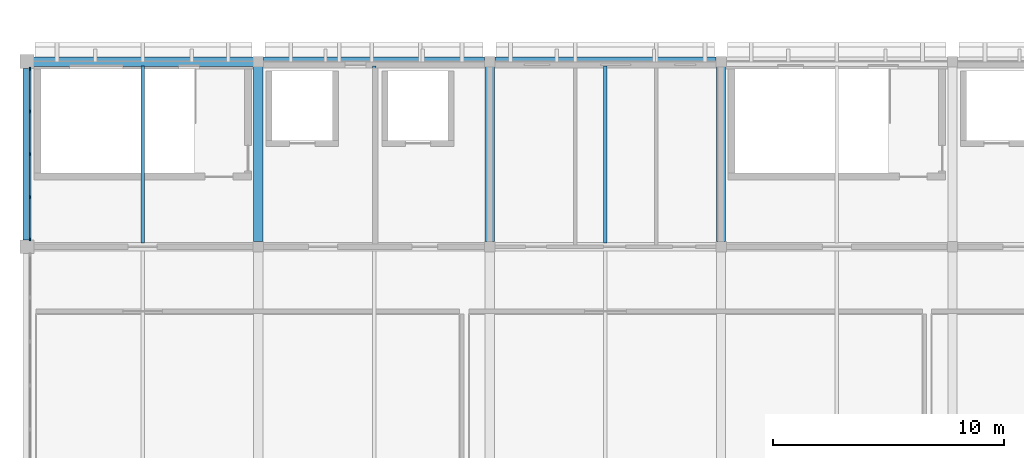
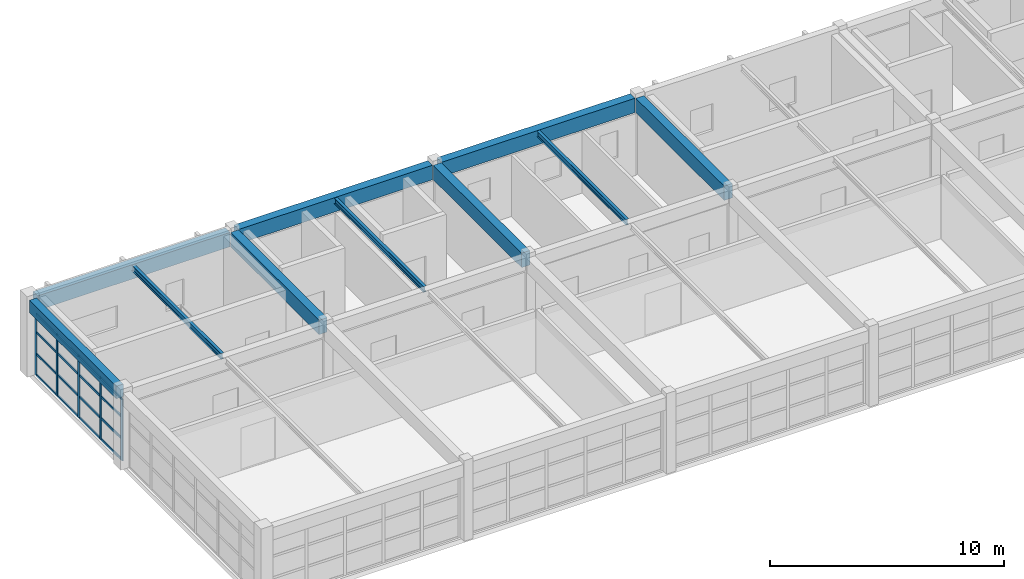
# One storey, part 6 of 16: 21 members, 10 beams, 1 element without a shape of its own.
"""IFC4 building model written with IfcOpenShell, lengths in metres."""

from ifc_helpers import new_model, si_unit, direction, frame, origin, origin_2d, place, context, subcontext, project, spatial, rectangle, i_section, extrude, material, layer, layer_set, material_profile, profile_set, type_object, element, aggregate, save


model = new_model("IFC4")

# Units and contexts
model_context = context("Model", 3, precision=1e-05, world=origin(), true_north=direction((0.0, 1.0)))
body_context = subcontext(model_context, "Body", "Model", "MODEL_VIEW")
ifc_project = project(units=[si_unit("LENGTHUNIT", "METRE"), si_unit("AREAUNIT", "SQUARE_METRE"), si_unit("VOLUMEUNIT", "CUBIC_METRE"), si_unit("PLANEANGLEUNIT", "RADIAN"), si_unit("MASSUNIT", "GRAM", prefix="KILO")], contexts=[model_context])

# Site, building, storey
site_placement = place(None, origin())
site = spatial("IfcSite", under=ifc_project, at=site_placement, CompositionType="ELEMENT")
building_placement = place(site_placement, origin())
building = spatial("IfcBuilding", under=site, at=building_placement, Name="Kivolera Central Railway Station", CompositionType="ELEMENT")
storey_placement = place(building_placement, frame((0.0, 0.0, 27.0)))
storey = spatial("IfcBuildingStorey", under=building, at=storey_placement, Name="L06", CompositionType="ELEMENT", Elevation=27.0)

# Beams
ifc_material_1 = material(Name="Steel S355", Category="steel")
ifc_material_profile_1 = material_profile(ifc_material_1, i_section(OverallWidth=0.14990234375, OverallDepth=0.300048828125, WebThickness=0.007080078125, FlangeThickness=0.0107421875, FilletRadius=0.014892578125, at=origin_2d()), Name="IPE 300")
ifc_profile_set_1 = profile_set([ifc_material_profile_1], Name="Steel S355")
beam_type_1 = type_object("IfcBeamType", Name="BM-JST-IPE300", PredefinedType="JOIST", material=ifc_profile_set_1)
for number, where, z_axis, x_axis, name in (
    (1, (123.0, 126.1669921875, 3.818115234375), (0.0, 1.0, 0.0), (-1.0, 0.0, 0.0), "L06 Floor Joist 12-13/L-M"),
    (2, (133.0, 126.1669921875, 3.818115234375), (0.0, 1.0, 0.0), (-1.0, 0.0, 0.0), "L06 Floor Joist 13-14/L-M"),
    (3, (143.0, 126.1669921875, 3.818115234375), (0.0, 1.0, 0.0), (-1.0, 0.0, 0.0), "L06 Floor Joist 14-15/L-M"),
):
    element("IfcBeam", number, at=place(storey_placement, frame(where, z_axis=z_axis, x_axis=x_axis)), inside=storey, type_object=beam_type_1, Name=name, PredefinedType="JOIST", context=body_context, shape_type="SweptSolid", body=[
        extrude(i_section(OverallWidth=0.14990234375, OverallDepth=0.300048828125, WebThickness=0.007080078125, FlangeThickness=0.0107421875, FilletRadius=0.014892578125, at=origin_2d()), origin(), (0.0, 0.0, 1.0), 7.64111328125),
    ])
ifc_material_2 = material(Name="Concrete C40/50", Category="concrete")
ifc_material_profile_2 = material_profile(ifc_material_2, rectangle(XDim=0.39990234375, YDim=0.75, at=origin_2d()), Name="RC 400x750")
ifc_profile_set_2 = profile_set([ifc_material_profile_2], Name="Concrete C40/50")
beam_type_2 = type_object("IfcBeamType", Name="BM-RC-400x750", PredefinedType="BEAM", material=ifc_profile_set_2)
for number, where, z_axis, x_axis, name in (
    (4, (128.0, 126.217041015625, 3.60498046875), (0.0, 1.0, 0.0), (-1.0, 0.0, 0.0), "L06 Wing Y-Beam 13:L-M"),
    (5, (138.0, 126.217041015625, 3.60498046875), (0.0, 1.0, 0.0), (-1.0, 0.0, 0.0), "L06 Wing Y-Beam 14:L-M"),
    (6, (148.0, 126.217041015625, 3.60498046875), (0.0, 1.0, 0.0), (-1.0, 0.0, 0.0), "L06 Wing Y-Beam 15:L-M"),
):
    element("IfcBeam", number, at=place(storey_placement, frame(where, z_axis=z_axis, x_axis=x_axis)), inside=storey, type_object=beam_type_2, Name=name, PredefinedType="BEAM", context=body_context, shape_type="SweptSolid", body=[
        extrude(rectangle(XDim=0.39990234375, YDim=0.75, at=origin_2d()), origin(), (0.0, 0.0, 1.0), 7.56591796875),
    ])
ifc_material_profile_3 = material_profile(ifc_material_2, rectangle(XDim=0.35009765625, YDim=0.64990234375, at=origin_2d()), Name="RC 350x650")
ifc_profile_set_3 = profile_set([ifc_material_profile_3], Name="Concrete C40/50")
beam_type_3 = type_object("IfcBeamType", Name="BM-SPN-RC650", PredefinedType="SPANDREL", material=ifc_profile_set_3)
beam_1_placement = place(storey_placement, frame((118.0, 126.2919921875, 3.655029296875), z_axis=(0.0, 1.0, 0.0), x_axis=(-1.0, 0.0, 0.0)))
element("IfcBeam", 7, at=beam_1_placement, inside=storey, type_object=beam_type_3, Name="L06 Wing Y-Beam 12:L-M", PredefinedType="SPANDREL", context=body_context, shape_type="SweptSolid", body=[
    extrude(rectangle(XDim=0.35009765625, YDim=0.64990234375, at=origin_2d()), origin(), (0.0, 0.0, 1.0), 7.416015625),
])
ifc_material_profile_4 = material_profile(ifc_material_2, rectangle(XDim=0.39990234375, YDim=0.75, at=origin_2d()), Name="RC 400x750")
ifc_profile_set_4 = profile_set([ifc_material_profile_4], Name="Concrete C40/50")
beam_type_4 = type_object("IfcBeamType", Name="BM-SPN-RC750", PredefinedType="SPANDREL", material=ifc_profile_set_4)
beam_2_placement = place(storey_placement, frame((118.2919921875, 134.0, 3.60498046875), z_axis=(1.0, 0.0, 0.0), x_axis=(0.0, 1.0, 0.0)))
element("IfcBeam", 8, at=beam_2_placement, inside=storey, type_object=beam_type_4, Name="L06 Wing X-Beam M:12-13", PredefinedType="SPANDREL", context=body_context, shape_type="SweptSolid", body=[
    extrude(rectangle(XDim=0.39990234375, YDim=0.75, at=origin_2d()), origin(), (0.0, 0.0, 1.0), 9.490966796875),
])
for number, where, z_axis, x_axis, name in (
    (9, (128.217041015625, 134.0, 3.60498046875), (1.0, 0.0, 0.0), (0.0, 1.0, 0.0), "L06 Wing X-Beam M:13-14"),
    (10, (138.217041015625, 134.0, 3.60498046875), (1.0, 0.0, 0.0), (0.0, 1.0, 0.0), "L06 Wing X-Beam M:14-15"),
):
    element("IfcBeam", number, at=place(storey_placement, frame(where, z_axis=z_axis, x_axis=x_axis)), inside=storey, type_object=beam_type_4, Name=name, PredefinedType="SPANDREL", context=body_context, shape_type="SweptSolid", body=[
        extrude(rectangle(XDim=0.39990234375, YDim=0.75, at=origin_2d()), origin(), (0.0, 0.0, 1.0), 9.56591796875),
    ])

# Curtain wall, members
ifc_material_3 = material(Name="Anodised aluminium", Category="aluminium")
ifc_layer = layer(ifc_material_3, 0.179931640625, Name="Anodised aluminium")
ifc_layer_set = layer_set([ifc_layer], Name="Anodised aluminium")
curtain_wall_type = type_object("IfcCurtainWallType", Name="CW-SYS-36", PredefinedType="NOTDEFINED", material=ifc_layer_set)
curtain_wall_placement = place(storey_placement, origin())
curtain_wall = element("IfcCurtainWall", 11, at=curtain_wall_placement, inside=storey, type_object=curtain_wall_type, Name="L06 Curtain Wall CW-L06-WEST-L", PredefinedType="NOTDEFINED")
ifc_material_profile_5 = material_profile(ifc_material_3, rectangle(XDim=0.06005859375, YDim=0.14990234375, at=origin_2d()), Name="ALU MULL 60x150")
ifc_profile_set_5 = profile_set([ifc_material_profile_5], Name="Anodised aluminium")
member_type_1 = type_object("IfcMemberType", Name="CWM-MUL-2", PredefinedType="MULLION", material=ifc_profile_set_5)
member_1_placement = place(storey_placement, frame((118.135009765625, 126.324951171875, -0.0048828125), z_axis=(0.0, 0.0, 1.0), x_axis=(-1.0, 0.0, 0.0)))
member_1 = element("IfcMember", 12, at=member_1_placement, type_object=member_type_1, Name="CW-36 mullion 1", PredefinedType="MULLION", context=body_context, shape_type="SweptSolid", body=[
    extrude(rectangle(XDim=0.06005859375, YDim=0.14990234375, at=origin_2d()), origin(), (0.0, 0.0, 1.0), 3.222900390625),
])
member_2_placement = place(storey_placement, frame((118.135009765625, 128.1474609375, -0.0048828125), z_axis=(0.0, 0.0, 1.0), x_axis=(-1.0, 0.0, 0.0)))
member_2 = element("IfcMember", 13, at=member_2_placement, type_object=member_type_1, Name="CW-36 mullion 2", PredefinedType="MULLION", context=body_context, shape_type="SweptSolid", body=[
    extrude(rectangle(XDim=0.06005859375, YDim=0.14990234375, at=origin_2d()), origin(), (0.0, 0.0, 1.0), 3.222900390625),
])
member_3_placement = place(storey_placement, frame((118.135009765625, 130.0, -0.0048828125), z_axis=(0.0, 0.0, 1.0), x_axis=(-1.0, 0.0, 0.0)))
member_3 = element("IfcMember", 14, at=member_3_placement, type_object=member_type_1, Name="CW-36 mullion 3", PredefinedType="MULLION", context=body_context, shape_type="SweptSolid", body=[
    extrude(rectangle(XDim=0.06005859375, YDim=0.14990234375, at=origin_2d()), origin(), (0.0, 0.0, 1.0), 3.222900390625),
])
member_4_placement = place(storey_placement, frame((118.135009765625, 131.8525390625, -0.0048828125), z_axis=(0.0, 0.0, 1.0), x_axis=(-1.0, 0.0, 0.0)))
member_4 = element("IfcMember", 15, at=member_4_placement, type_object=member_type_1, Name="CW-36 mullion 4", PredefinedType="MULLION", context=body_context, shape_type="SweptSolid", body=[
    extrude(rectangle(XDim=0.06005859375, YDim=0.14990234375, at=origin_2d()), origin(), (0.0, 0.0, 1.0), 3.222900390625),
])
member_5_placement = place(storey_placement, frame((118.135009765625, 133.675048828125, -0.0048828125), z_axis=(0.0, 0.0, 1.0), x_axis=(-1.0, 0.0, 0.0)))
member_5 = element("IfcMember", 16, at=member_5_placement, type_object=member_type_1, Name="CW-36 mullion 5", PredefinedType="MULLION", context=body_context, shape_type="SweptSolid", body=[
    extrude(rectangle(XDim=0.06005859375, YDim=0.14990234375, at=origin_2d()), origin(), (0.0, 0.0, 1.0), 3.222900390625),
])
ifc_material_profile_6 = material_profile(ifc_material_3, rectangle(XDim=0.06005859375, YDim=0.1201171875, at=origin_2d()), Name="ALU TRAN 60x120")
ifc_profile_set_6 = profile_set([ifc_material_profile_6], Name="Anodised aluminium")
member_type_2 = type_object("IfcMemberType", Name="CWM-TRN-2", PredefinedType="USERDEFINED", material=ifc_profile_set_6)
member_6_placement = place(storey_placement, frame((118.135009765625, 126.35498046875, 0.030029296875), z_axis=(0.0, 1.0, 0.0), x_axis=(-1.0, 0.0, 0.0)))
member_6 = element("IfcMember", 17, at=member_6_placement, type_object=member_type_2, Name="CW-36 transom 1.1", ObjectType="TRANSOM", PredefinedType="USERDEFINED", context=body_context, shape_type="SweptSolid", body=[
    extrude(rectangle(XDim=0.06005859375, YDim=0.1201171875, at=origin_2d()), origin(), (0.0, 0.0, 1.0), 1.762451171875),
])
member_7_placement = place(storey_placement, frame((118.135009765625, 126.35498046875, 1.126220703125), z_axis=(0.0, 1.0, 0.0), x_axis=(-1.0, 0.0, 0.0)))
member_7 = element("IfcMember", 18, at=member_7_placement, type_object=member_type_2, Name="CW-36 transom 1.2", ObjectType="TRANSOM", PredefinedType="USERDEFINED", context=body_context, shape_type="SweptSolid", body=[
    extrude(rectangle(XDim=0.06005859375, YDim=0.1201171875, at=origin_2d()), origin(), (0.0, 0.0, 1.0), 1.762451171875),
])
member_8_placement = place(storey_placement, frame((118.135009765625, 126.35498046875, 2.252685546875), z_axis=(0.0, 1.0, 0.0), x_axis=(-1.0, 0.0, 0.0)))
member_8 = element("IfcMember", 19, at=member_8_placement, type_object=member_type_2, Name="CW-36 transom 1.3", ObjectType="TRANSOM", PredefinedType="USERDEFINED", context=body_context, shape_type="SweptSolid", body=[
    extrude(rectangle(XDim=0.06005859375, YDim=0.1201171875, at=origin_2d()), origin(), (0.0, 0.0, 1.0), 1.762451171875),
])
member_9_placement = place(storey_placement, frame((118.135009765625, 126.35498046875, 3.18798828125), z_axis=(0.0, 1.0, 0.0), x_axis=(-1.0, 0.0, 0.0)))
member_9 = element("IfcMember", 20, at=member_9_placement, type_object=member_type_2, Name="CW-36 transom 1.4", ObjectType="TRANSOM", PredefinedType="USERDEFINED", context=body_context, shape_type="SweptSolid", body=[
    extrude(rectangle(XDim=0.06005859375, YDim=0.1201171875, at=origin_2d()), origin(), (0.0, 0.0, 1.0), 1.762451171875),
])
member_10_placement = place(storey_placement, frame((118.135009765625, 128.177490234375, 0.030029296875), z_axis=(0.0, 1.0, 0.0), x_axis=(-1.0, 0.0, 0.0)))
member_10 = element("IfcMember", 21, at=member_10_placement, type_object=member_type_2, Name="CW-36 transom 2.1", ObjectType="TRANSOM", PredefinedType="USERDEFINED", context=body_context, shape_type="SweptSolid", body=[
    extrude(rectangle(XDim=0.06005859375, YDim=0.1201171875, at=origin_2d()), origin(), (0.0, 0.0, 1.0), 1.79248046875),
])
member_11_placement = place(storey_placement, frame((118.135009765625, 128.177490234375, 1.126220703125), z_axis=(0.0, 1.0, 0.0), x_axis=(-1.0, 0.0, 0.0)))
member_11 = element("IfcMember", 22, at=member_11_placement, type_object=member_type_2, Name="CW-36 transom 2.2", ObjectType="TRANSOM", PredefinedType="USERDEFINED", context=body_context, shape_type="SweptSolid", body=[
    extrude(rectangle(XDim=0.06005859375, YDim=0.1201171875, at=origin_2d()), origin(), (0.0, 0.0, 1.0), 1.79248046875),
])
member_12_placement = place(storey_placement, frame((118.135009765625, 128.177490234375, 2.252685546875), z_axis=(0.0, 1.0, 0.0), x_axis=(-1.0, 0.0, 0.0)))
member_12 = element("IfcMember", 23, at=member_12_placement, type_object=member_type_2, Name="CW-36 transom 2.3", ObjectType="TRANSOM", PredefinedType="USERDEFINED", context=body_context, shape_type="SweptSolid", body=[
    extrude(rectangle(XDim=0.06005859375, YDim=0.1201171875, at=origin_2d()), origin(), (0.0, 0.0, 1.0), 1.79248046875),
])
member_13_placement = place(storey_placement, frame((118.135009765625, 128.177490234375, 3.18798828125), z_axis=(0.0, 1.0, 0.0), x_axis=(-1.0, 0.0, 0.0)))
member_13 = element("IfcMember", 24, at=member_13_placement, type_object=member_type_2, Name="CW-36 transom 2.4", ObjectType="TRANSOM", PredefinedType="USERDEFINED", context=body_context, shape_type="SweptSolid", body=[
    extrude(rectangle(XDim=0.06005859375, YDim=0.1201171875, at=origin_2d()), origin(), (0.0, 0.0, 1.0), 1.79248046875),
])
member_14_placement = place(storey_placement, frame((118.135009765625, 130.030029296875, 0.030029296875), z_axis=(0.0, 1.0, 0.0), x_axis=(-1.0, 0.0, 0.0)))
member_14 = element("IfcMember", 25, at=member_14_placement, type_object=member_type_2, Name="CW-36 transom 3.1", ObjectType="TRANSOM", PredefinedType="USERDEFINED", context=body_context, shape_type="SweptSolid", body=[
    extrude(rectangle(XDim=0.06005859375, YDim=0.1201171875, at=origin_2d()), origin(), (0.0, 0.0, 1.0), 1.79248046875),
])
member_15_placement = place(storey_placement, frame((118.135009765625, 130.030029296875, 1.126220703125), z_axis=(0.0, 1.0, 0.0), x_axis=(-1.0, 0.0, 0.0)))
member_15 = element("IfcMember", 26, at=member_15_placement, type_object=member_type_2, Name="CW-36 transom 3.2", ObjectType="TRANSOM", PredefinedType="USERDEFINED", context=body_context, shape_type="SweptSolid", body=[
    extrude(rectangle(XDim=0.06005859375, YDim=0.1201171875, at=origin_2d()), origin(), (0.0, 0.0, 1.0), 1.79248046875),
])
member_16_placement = place(storey_placement, frame((118.135009765625, 130.030029296875, 2.252685546875), z_axis=(0.0, 1.0, 0.0), x_axis=(-1.0, 0.0, 0.0)))
member_16 = element("IfcMember", 27, at=member_16_placement, type_object=member_type_2, Name="CW-36 transom 3.3", ObjectType="TRANSOM", PredefinedType="USERDEFINED", context=body_context, shape_type="SweptSolid", body=[
    extrude(rectangle(XDim=0.06005859375, YDim=0.1201171875, at=origin_2d()), origin(), (0.0, 0.0, 1.0), 1.79248046875),
])
member_17_placement = place(storey_placement, frame((118.135009765625, 130.030029296875, 3.18798828125), z_axis=(0.0, 1.0, 0.0), x_axis=(-1.0, 0.0, 0.0)))
member_17 = element("IfcMember", 28, at=member_17_placement, type_object=member_type_2, Name="CW-36 transom 3.4", ObjectType="TRANSOM", PredefinedType="USERDEFINED", context=body_context, shape_type="SweptSolid", body=[
    extrude(rectangle(XDim=0.06005859375, YDim=0.1201171875, at=origin_2d()), origin(), (0.0, 0.0, 1.0), 1.79248046875),
])
member_18_placement = place(storey_placement, frame((118.135009765625, 131.882568359375, 0.030029296875), z_axis=(0.0, 1.0, 0.0), x_axis=(-1.0, 0.0, 0.0)))
member_18 = element("IfcMember", 29, at=member_18_placement, type_object=member_type_2, Name="CW-36 transom 4.1", ObjectType="TRANSOM", PredefinedType="USERDEFINED", context=body_context, shape_type="SweptSolid", body=[
    extrude(rectangle(XDim=0.06005859375, YDim=0.1201171875, at=origin_2d()), origin(), (0.0, 0.0, 1.0), 1.762451171875),
])
member_19_placement = place(storey_placement, frame((118.135009765625, 131.882568359375, 1.126220703125), z_axis=(0.0, 1.0, 0.0), x_axis=(-1.0, 0.0, 0.0)))
member_19 = element("IfcMember", 30, at=member_19_placement, type_object=member_type_2, Name="CW-36 transom 4.2", ObjectType="TRANSOM", PredefinedType="USERDEFINED", context=body_context, shape_type="SweptSolid", body=[
    extrude(rectangle(XDim=0.06005859375, YDim=0.1201171875, at=origin_2d()), origin(), (0.0, 0.0, 1.0), 1.762451171875),
])
member_20_placement = place(storey_placement, frame((118.135009765625, 131.882568359375, 2.252685546875), z_axis=(0.0, 1.0, 0.0), x_axis=(-1.0, 0.0, 0.0)))
member_20 = element("IfcMember", 31, at=member_20_placement, type_object=member_type_2, Name="CW-36 transom 4.3", ObjectType="TRANSOM", PredefinedType="USERDEFINED", context=body_context, shape_type="SweptSolid", body=[
    extrude(rectangle(XDim=0.06005859375, YDim=0.1201171875, at=origin_2d()), origin(), (0.0, 0.0, 1.0), 1.762451171875),
])
member_21_placement = place(storey_placement, frame((118.135009765625, 131.882568359375, 3.18798828125), z_axis=(0.0, 1.0, 0.0), x_axis=(-1.0, 0.0, 0.0)))
member_21 = element("IfcMember", 32, at=member_21_placement, type_object=member_type_2, Name="CW-36 transom 4.4", ObjectType="TRANSOM", PredefinedType="USERDEFINED", context=body_context, shape_type="SweptSolid", body=[
    extrude(rectangle(XDim=0.06005859375, YDim=0.1201171875, at=origin_2d()), origin(), (0.0, 0.0, 1.0), 1.762451171875),
])
aggregate(curtain_wall, [member_1, member_2, member_3, member_4, member_5, member_6, member_7, member_8, member_9, member_10, member_11, member_12, member_13, member_14, member_15, member_16, member_17, member_18, member_19, member_20, member_21])

save(model, "model.ifc")
